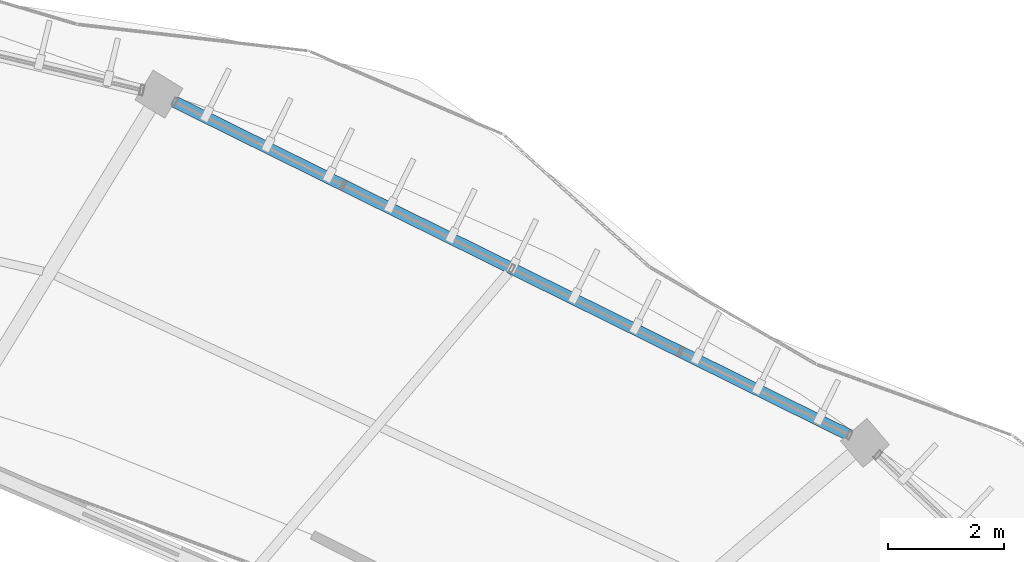
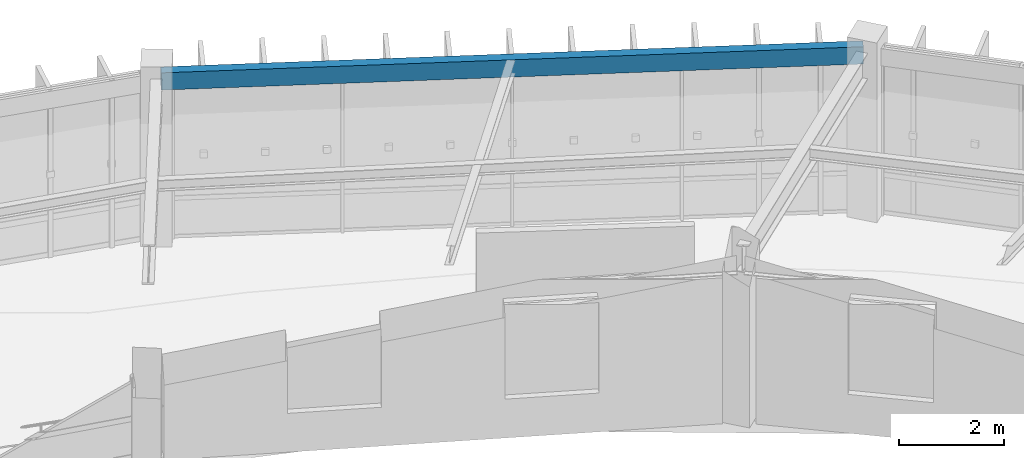
# One storey, part 52 of 83: 1 beam.
"""IFC4 building model written with IfcOpenShell, lengths in metres."""

from ifc_helpers import new_model, si_unit, direction, frame, origin, origin_2d, place, context, subcontext, project, spatial, hollow_rectangle, extrude, material, material_profile, profile_set, type_object, element, save


model = new_model("IFC4")

# Units and contexts
model_context = context("Model", 3, precision=1e-05, world=origin(), true_north=direction((0.0, 1.0)))
body_context = subcontext(model_context, "Body", "Model", "MODEL_VIEW")
ifc_project = project(units=[si_unit("LENGTHUNIT", "METRE"), si_unit("AREAUNIT", "SQUARE_METRE"), si_unit("VOLUMEUNIT", "CUBIC_METRE"), si_unit("PLANEANGLEUNIT", "RADIAN"), si_unit("MASSUNIT", "GRAM", prefix="KILO"), si_unit("THERMODYNAMICTEMPERATUREUNIT", "KELVIN"), si_unit("POWERUNIT", "WATT")], contexts=[model_context])

# Site, building, storey
site_placement = place(None, origin())
site = spatial("IfcSite", under=ifc_project, at=site_placement, CompositionType="ELEMENT")
building_placement = place(site_placement, origin())
building = spatial("IfcBuilding", under=site, at=building_placement, Name="Darbajah Civic Hall", CompositionType="ELEMENT")
storey_placement = place(building_placement, frame((0.0, 0.0, 18.0)))
storey = spatial("IfcBuildingStorey", under=building, at=storey_placement, Name="L04", CompositionType="ELEMENT", Elevation=18.0)

# Beam
ifc_material = material(Name="Steel S355JR", Category="steel")
ifc_material_profile = material_profile(ifc_material, hollow_rectangle(XDim=0.199951171875, YDim=0.39990234375, WallThickness=0.013916015625, at=origin_2d()), Name="RHS 400x200x14")
ifc_profile_set = profile_set([ifc_material_profile], Name="Steel S355JR")
beam_type = type_object("IfcBeamType", Name="RHS 400x200x14", PredefinedType="SPANDREL", material=ifc_profile_set)
beam_placement = place(storey_placement, frame((127.80908203125, 108.994140625, 3.719970703125), z_axis=(-0.896560149568, 0.442922000139, 0.0), x_axis=(-0.442922000139, -0.896560149568, 0.0)))
element("IfcBeam", 1, at=beam_placement, inside=storey, type_object=beam_type, Name="L04 beam SP-RHS400", PredefinedType="SPANDREL", context=body_context, shape_type="SweptSolid", body=[
    extrude(hollow_rectangle(XDim=0.199951171875, YDim=0.39990234375, WallThickness=0.013916015625, at=origin_2d()), origin(), (0.0, 0.0, 1.0), 13.373291015625),
])

save(model, "model.ifc")
